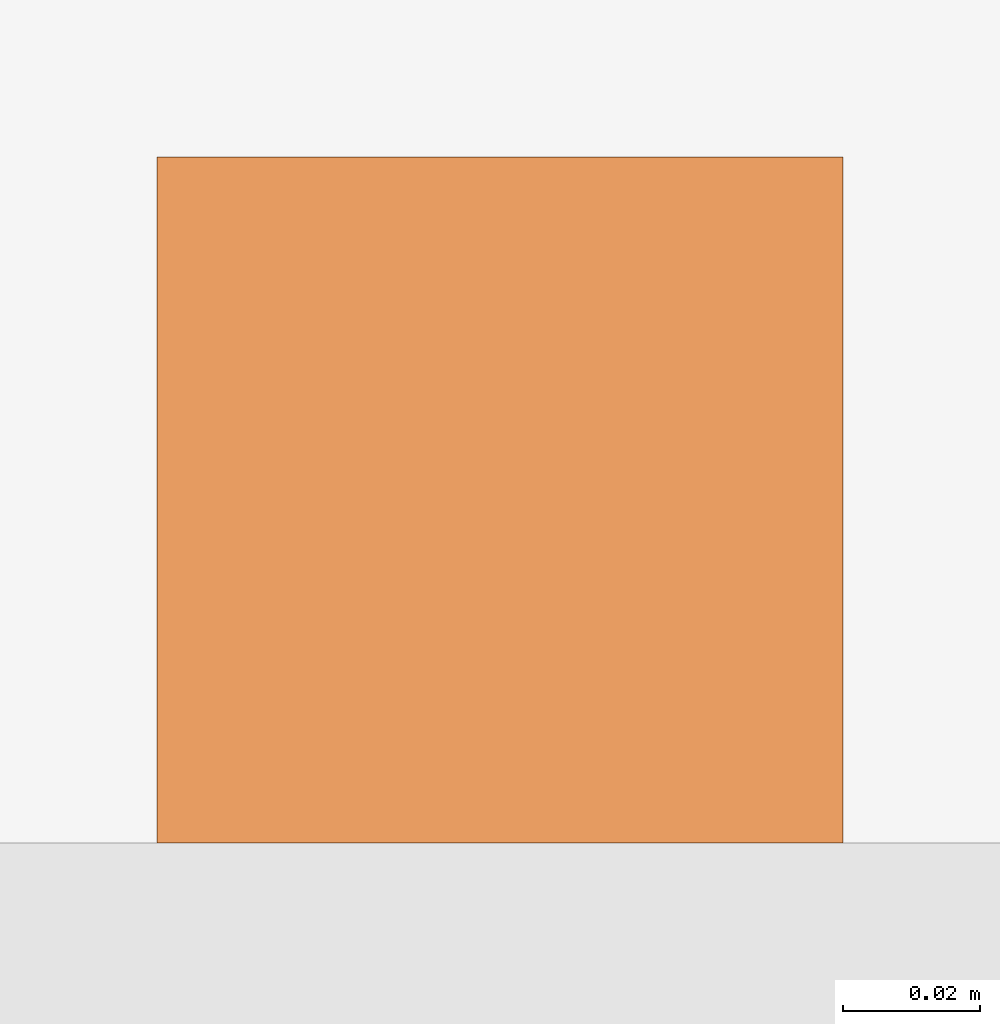
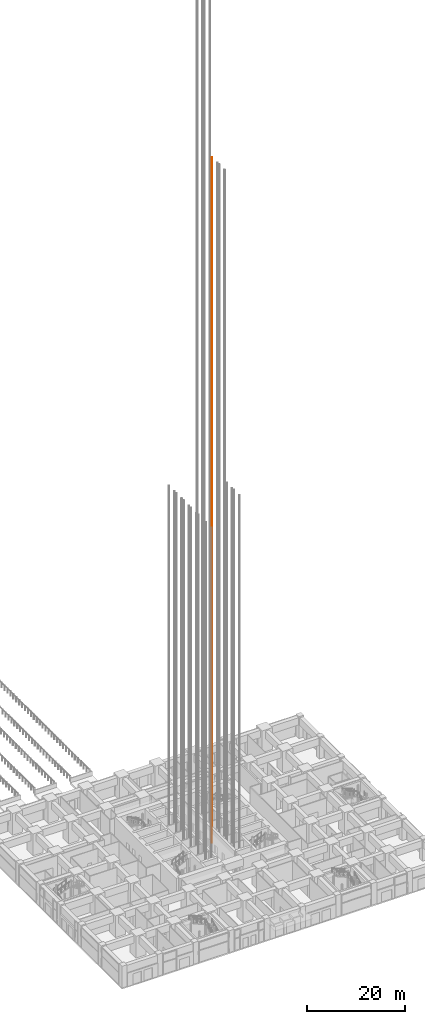
# One storey, part 74 of 81: 1 proxy.
"""IFC4 building model written with IfcOpenShell, lengths in metres."""

from ifc_helpers import new_model, si_unit, direction, frame, origin, origin_2d, place, context, subcontext, project, spatial, rectangle, extrude, material, type_object, element, save


model = new_model("IFC4")

# Units and contexts
model_context = context("Model", 3, precision=1e-05, world=origin(), true_north=direction((0.0, 1.0)))
body_context = subcontext(model_context, "Body", "Model", "MODEL_VIEW")
ifc_project = project(units=[si_unit("LENGTHUNIT", "METRE"), si_unit("AREAUNIT", "SQUARE_METRE"), si_unit("VOLUMEUNIT", "CUBIC_METRE"), si_unit("PLANEANGLEUNIT", "RADIAN"), si_unit("MASSUNIT", "GRAM", prefix="KILO")], contexts=[model_context])

# Site, building, storey
site_placement = place(None, origin())
site = spatial("IfcSite", under=ifc_project, at=site_placement, CompositionType="ELEMENT")
building_placement = place(site_placement, origin())
building = spatial("IfcBuilding", under=site, at=building_placement, Name="Rekha Terrace Tower", CompositionType="ELEMENT")
storey_placement = place(building_placement, origin())
storey = spatial("IfcBuildingStorey", under=building, at=storey_placement, Name="L00", CompositionType="ELEMENT", Elevation=0.0)

# Proxy
ifc_material = material(Name="Steel guide rail", Category="steel")
building_element_proxy_type = type_object("IfcBuildingElementProxyType", Name="LR1 100 lift guide rail", PredefinedType="ELEMENT", material=ifc_material)
proxy_placement = place(storey_placement, frame((41.14990234375, 35.0, 0.0), z_axis=(0.0, 0.0, 1.0), x_axis=(1.0, 0.0, 0.0)))
element("IfcBuildingElementProxy", 1, at=proxy_placement, inside=storey, type_object=building_element_proxy_type, Name="Lift SH4 guide rail 2", PredefinedType="ELEMENT", context=body_context, shape_type="SweptSolid", body=[
    extrude(rectangle(XDim=0.10009765625, YDim=0.10009765625, at=origin_2d()), origin(), (0.0, 0.0, 1.0), 170.60009765625),
])

save(model, "model.ifc")
